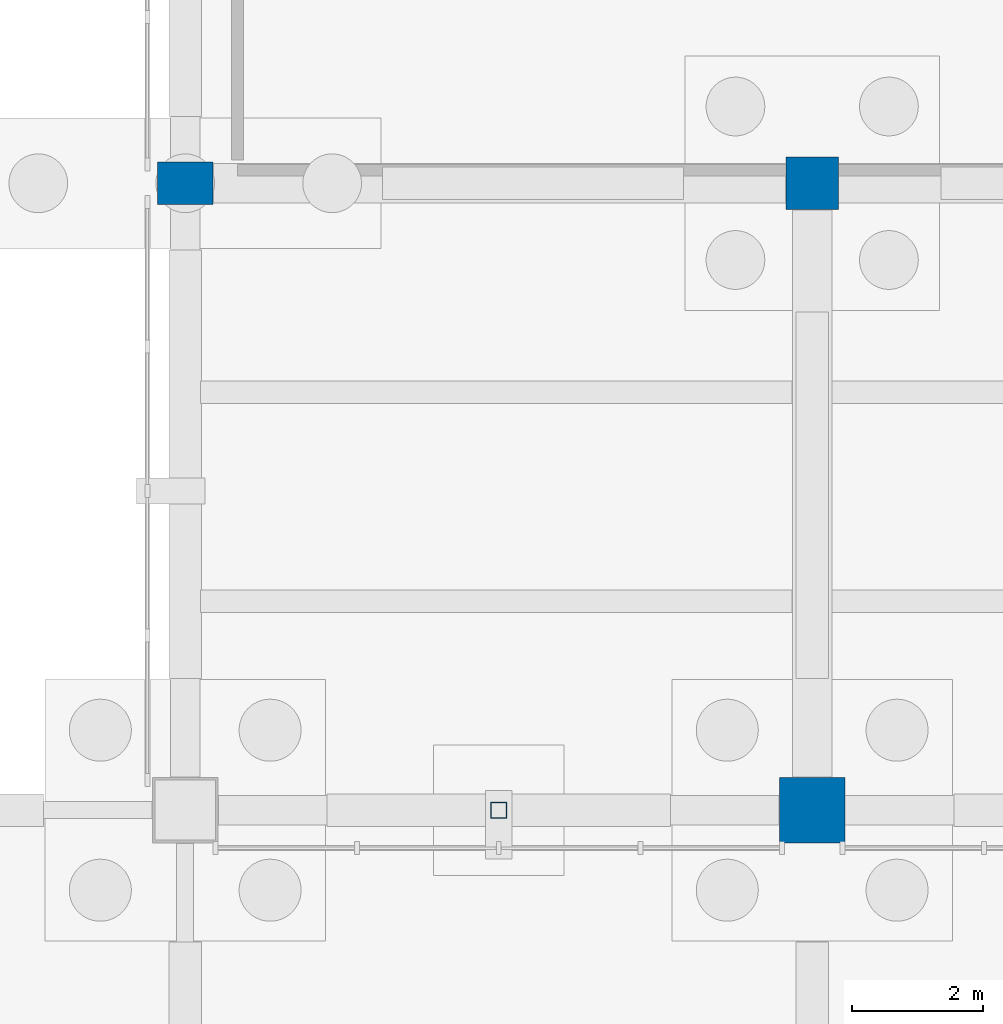
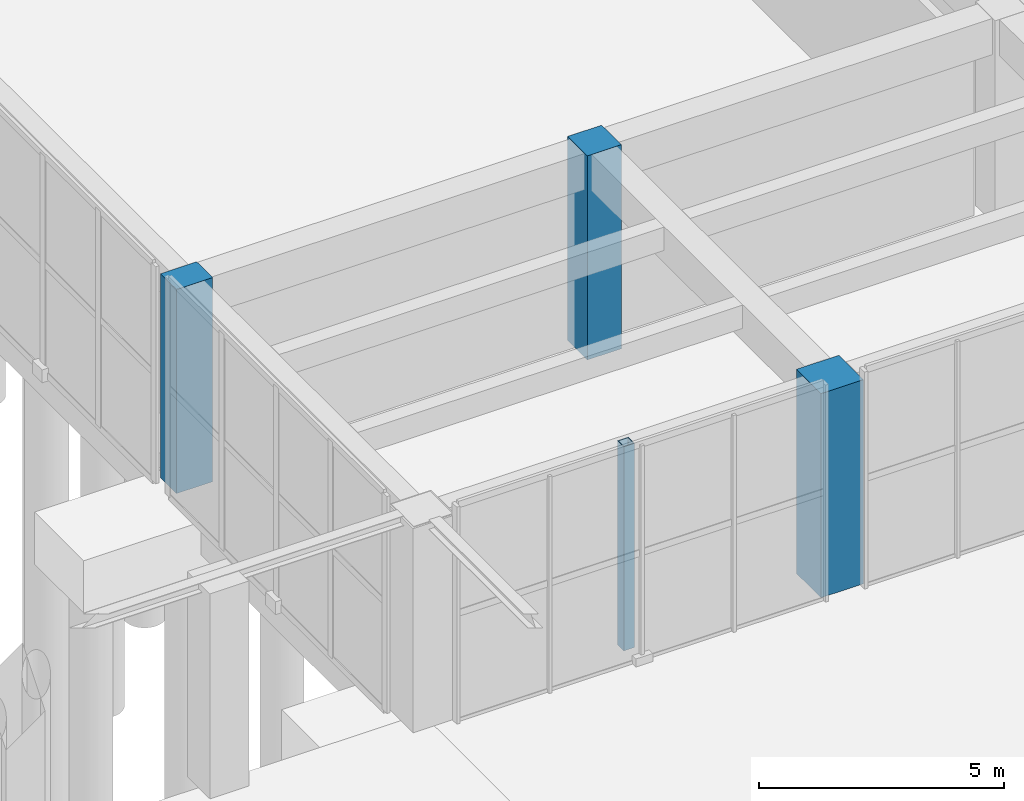
# One storey, part 6 of 51: 4 columns.
"""IFC4 building model written with IfcOpenShell, lengths in metres."""

from ifc_helpers import new_model, si_unit, direction, frame, origin, origin_2d, place, context, subcontext, project, spatial, rectangle, hollow_rectangle, extrude, material, material_profile, profile_set, type_object, element, save


model = new_model("IFC4")

# Units and contexts
model_context = context("Model", 3, precision=1e-05, world=origin(), true_north=direction((0.0, 1.0)))
body_context = subcontext(model_context, "Body", "Model", "MODEL_VIEW")
ifc_project = project(units=[si_unit("LENGTHUNIT", "METRE"), si_unit("AREAUNIT", "SQUARE_METRE"), si_unit("VOLUMEUNIT", "CUBIC_METRE"), si_unit("PLANEANGLEUNIT", "RADIAN"), si_unit("MASSUNIT", "GRAM", prefix="KILO")], contexts=[model_context])

# Site, building, storey
site_placement = place(None, origin())
site = spatial("IfcSite", under=ifc_project, at=site_placement, CompositionType="ELEMENT")
building_placement = place(site_placement, origin())
building = spatial("IfcBuilding", under=site, at=building_placement, Name="Bempovik Park Faculty of Sciences", CompositionType="ELEMENT")
storey_placement = place(building_placement, origin())
storey = spatial("IfcBuildingStorey", under=building, at=storey_placement, Name="L00", CompositionType="ELEMENT", Elevation=0.0)

# Columns
ifc_material_1 = material(Name="Concrete C40/50", Category="concrete")
ifc_material_profile_1 = material_profile(ifc_material_1, rectangle(XDim=0.800048828125, YDim=0.800048828125, at=origin_2d()), Name="RC 800x800")
ifc_profile_set_1 = profile_set([ifc_material_profile_1], Name="Concrete C40/50")
column_type_1 = type_object("IfcColumnType", Name="C-33 RC 800x800", PredefinedType="COLUMN", material=ifc_profile_set_1)
column_1_placement = place(storey_placement, frame((69.60009765625, 29.39990234375, 0.0), z_axis=(0.0, 0.0, 1.0), x_axis=(1.0, 0.0, 0.0)))
element("IfcColumn", 1, at=column_1_placement, inside=storey, type_object=column_type_1, Name="L00 Structural Column (69.6,29.4)", PredefinedType="COLUMN", context=body_context, shape_type="SweptSolid", body=[
    extrude(rectangle(XDim=0.800048828125, YDim=0.800048828125, at=origin_2d()), origin(), (0.0, 0.0, 1.0), 5.080078125),
])
ifc_material_2 = material(Name="Steel S355", Category="steel")
ifc_material_profile_2 = material_profile(ifc_material_2, hollow_rectangle(XDim=0.25, YDim=0.25, WallThickness=0.012451171875, at=origin_2d()), Name="SHS 250x250x12.5")
ifc_profile_set_2 = profile_set([ifc_material_profile_2], Name="Steel S355")
column_type_2 = type_object("IfcColumnType", Name="C-47 SHS 250x250x12.5", PredefinedType="COLUMN", material=ifc_profile_set_2)
column_2_placement = place(storey_placement, frame((64.800048828125, 19.800048828125, 0.0), z_axis=(0.0, 0.0, 1.0), x_axis=(1.0, 0.0, 0.0)))
element("IfcColumn", 2, at=column_2_placement, inside=storey, type_object=column_type_2, Name="Foyer Steel Mullion Column L00 (64.8)", PredefinedType="COLUMN", context=body_context, shape_type="SweptSolid", body=[
    extrude(hollow_rectangle(XDim=0.25, YDim=0.25, WallThickness=0.012451171875, at=origin_2d()), origin(), (0.0, 0.0, 1.0), 5.080078125),
])
ifc_material_profile_3 = material_profile(ifc_material_1, rectangle(XDim=0.85009765625, YDim=0.64990234375, at=origin_2d()), Name="RC 850x650")
ifc_profile_set_3 = profile_set([ifc_material_profile_3], Name="Concrete C40/50")
column_type_3 = type_object("IfcColumnType", Name="C-71 RC 850x650", PredefinedType="COLUMN", material=ifc_profile_set_3)
column_3_placement = place(storey_placement, frame((60.0, 29.39990234375, 0.0), z_axis=(0.0, 0.0, 1.0), x_axis=(1.0, 0.0, 0.0)))
element("IfcColumn", 3, at=column_3_placement, inside=storey, type_object=column_type_3, Name="L00 Structural Column (60.0,29.4)", PredefinedType="COLUMN", context=body_context, shape_type="SweptSolid", body=[
    extrude(rectangle(XDim=0.85009765625, YDim=0.64990234375, at=origin_2d()), origin(), (0.0, 0.0, 1.0), 5.080078125),
])
ifc_material_profile_4 = material_profile(ifc_material_1, rectangle(XDim=1.0, YDim=1.0, at=origin_2d()), Name="RC 1000x1000")
ifc_profile_set_4 = profile_set([ifc_material_profile_4], Name="Concrete C40/50")
column_type_4 = type_object("IfcColumnType", Name="C-84 RC 1000x1000", PredefinedType="COLUMN", material=ifc_profile_set_4)
column_4_placement = place(storey_placement, frame((69.60009765625, 19.800048828125, 0.0), z_axis=(0.0, 0.0, 1.0), x_axis=(1.0, 0.0, 0.0)))
element("IfcColumn", 4, at=column_4_placement, inside=storey, type_object=column_type_4, Name="L00 Structural Column (69.6,19.8)", PredefinedType="COLUMN", context=body_context, shape_type="SweptSolid", body=[
    extrude(rectangle(XDim=1.0, YDim=1.0, at=origin_2d()), origin(), (0.0, 0.0, 1.0), 5.080078125),
])

save(model, "model.ifc")
